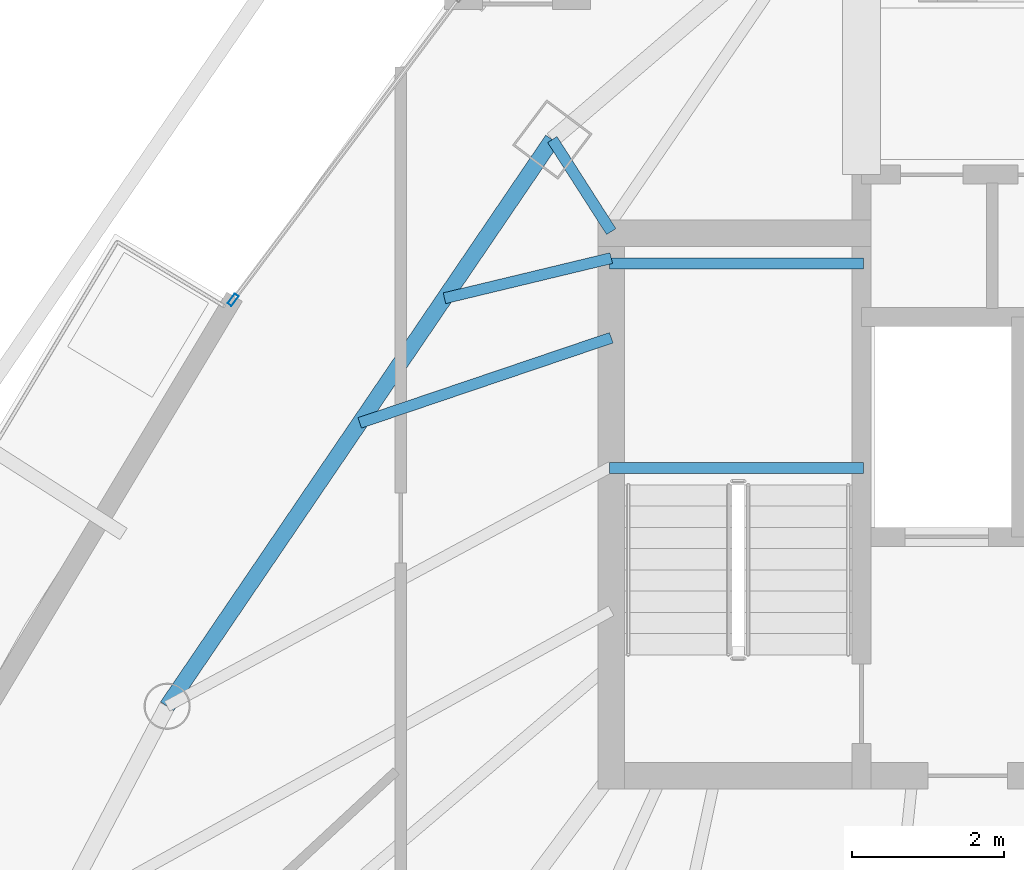
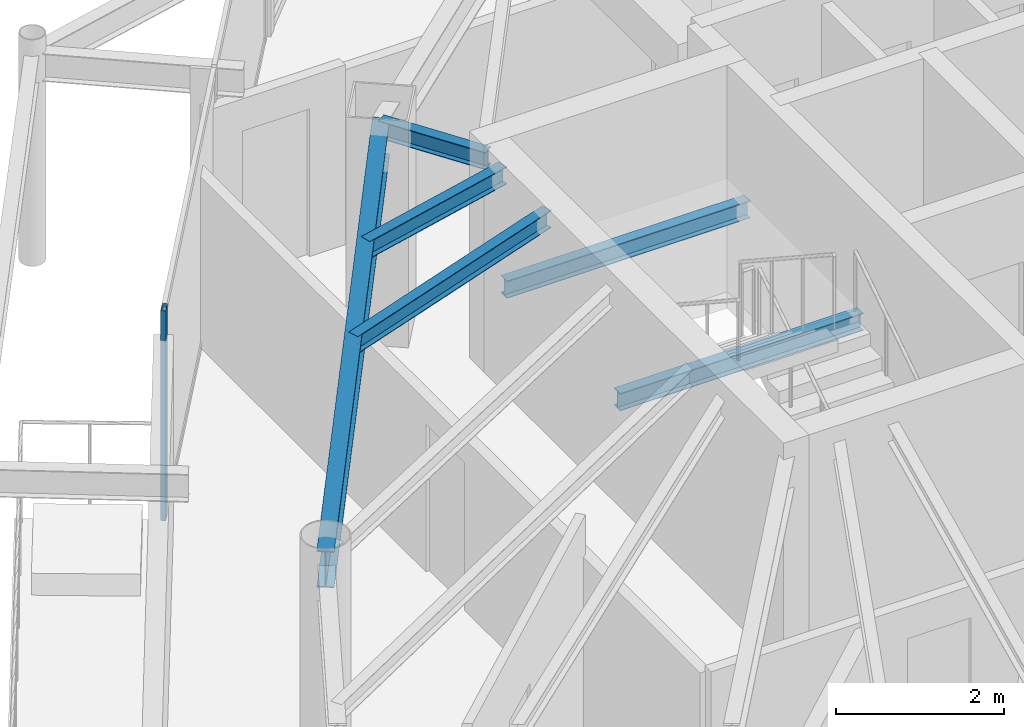
# One storey, part 12 of 32: 6 beams, 1 member, 1 element without a shape of its own.
"""IFC4 building model written with IfcOpenShell, lengths in metres."""

from ifc_helpers import new_model, si_unit, direction, frame, origin, origin_2d, place, context, subcontext, project, spatial, hollow_rectangle, i_section, extrude, material, layer, layer_set, material_profile, profile_set, type_object, element, aggregate, save


model = new_model("IFC4")

# Units and contexts
model_context = context("Model", 3, precision=1e-05, world=origin(), true_north=direction((0.0, 1.0)))
body_context = subcontext(model_context, "Body", "Model", "MODEL_VIEW")
ifc_project = project(units=[si_unit("LENGTHUNIT", "METRE"), si_unit("AREAUNIT", "SQUARE_METRE"), si_unit("VOLUMEUNIT", "CUBIC_METRE"), si_unit("PLANEANGLEUNIT", "RADIAN"), si_unit("MASSUNIT", "GRAM", prefix="KILO")], contexts=[model_context])

# Site, building, storey
site_placement = place(None, origin())
site = spatial("IfcSite", under=ifc_project, at=site_placement, CompositionType="ELEMENT")
building_placement = place(site_placement, origin())
building = spatial("IfcBuilding", under=site, at=building_placement, Name="Orvanel Arch Residences", CompositionType="ELEMENT")
storey_placement = place(building_placement, frame((0.0, 0.0, 219.5)))
storey = spatial("IfcBuildingStorey", under=building, at=storey_placement, Name="L62", CompositionType="ELEMENT", Elevation=219.5)

# Beams
ifc_material_1 = material(Name="Structural steel AS/NZS 3679.1 Grade 300 (300 MPa)", Category="steel")
ifc_material_profile_1 = material_profile(ifc_material_1, i_section(OverallWidth=0.14599609375, OverallDepth=0.251953125, WebThickness=0.006103515625, FlangeThickness=0.008544921875, at=origin_2d()), Name="250UB31.4")
ifc_profile_set_1 = profile_set([ifc_material_profile_1], Name="Structural steel AS/NZS 3679.1 Grade 300 (300 MPa)")
beam_type_1 = type_object("IfcBeamType", Name="BJ-250UB", PredefinedType="JOIST", material=ifc_profile_set_1)
for number, where, z_axis, x_axis, name in (
    (1, (26.39990234375, 30.780029296875, 1.323974609375), (1.0, 0.0, 0.0), (0.0, 1.0, 0.0), "L62 ST-1 Half-Landing Support Beam 1.1"),
    (2, (26.39990234375, 33.47998046875, 1.323974609375), (1.0, 0.0, 0.0), (0.0, 1.0, 0.0), "L62 ST-1 Half-Landing Support Beam 1.2"),
):
    element("IfcBeam", number, at=place(storey_placement, frame(where, z_axis=z_axis, x_axis=x_axis)), inside=storey, type_object=beam_type_1, Name=name, PredefinedType="JOIST", context=body_context, shape_type="SweptSolid", body=[
        extrude(i_section(OverallWidth=0.14599609375, OverallDepth=0.251953125, WebThickness=0.006103515625, FlangeThickness=0.008544921875, at=origin_2d()), origin(), (0.0, 0.0, 1.0), 3.35009765625),
    ])
beam_1_placement = place(storey_placement, frame((26.425048828125, 33.89990234375, 2.93408203125), z_axis=(-0.539395075146, 0.842052820735, 0.0), x_axis=(-0.842052820735, -0.539395075146, 0.0)))
element("IfcBeam", 3, at=beam_1_placement, inside=storey, type_object=beam_type_1, Name="L62 NNW Wing Floor Joist", PredefinedType="JOIST", context=body_context, shape_type="SweptSolid", body=[
    extrude(i_section(OverallWidth=0.14599609375, OverallDepth=0.251953125, WebThickness=0.006103515625, FlangeThickness=0.008544921875, at=origin_2d()), origin(), (0.0, 0.0, 1.0), 1.440673828125),
])
beam_2_placement = place(storey_placement, frame((26.425048828125, 32.5, 2.93408203125), z_axis=(-0.947187956478, -0.320678928373, 0.0), x_axis=(0.320678928373, -0.947187956478, 0.0)))
element("IfcBeam", 4, at=beam_2_placement, inside=storey, type_object=beam_type_1, Name="L62 WNW Wing Floor Joist", PredefinedType="JOIST", context=body_context, shape_type="SweptSolid", body=[
    extrude(i_section(OverallWidth=0.14599609375, OverallDepth=0.251953125, WebThickness=0.006103515625, FlangeThickness=0.008544921875, at=origin_2d()), origin(), (0.0, 0.0, 1.0), 3.502197265625),
])
beam_3_placement = place(storey_placement, frame((26.425048828125, 33.550048828125, 2.93408203125), z_axis=(-0.972256833016, -0.23391590509, 0.0), x_axis=(0.23391590509, -0.972256833016, 0.0)))
element("IfcBeam", 5, at=beam_3_placement, inside=storey, type_object=beam_type_1, Name="L62 JADD3 Wing Floor Joist", PredefinedType="JOIST", context=body_context, shape_type="SweptSolid", body=[
    extrude(i_section(OverallWidth=0.14599609375, OverallDepth=0.251953125, WebThickness=0.006103515625, FlangeThickness=0.008544921875, at=origin_2d()), origin(), (0.0, 0.0, 1.0), 2.26171875),
])

# Curtain wall, member
ifc_material_2 = material(Name="Bronze-anodised aluminium AA6063-T6", Category="aluminium")
ifc_layer = layer(ifc_material_2, 0.175048828125)
ifc_layer_set = layer_set([ifc_layer], Name="Bronze-anodised aluminium AA6063-T6")
curtain_wall_type = type_object("IfcCurtainWallType", Name="CW4-HI-SYS", PredefinedType="NOTDEFINED", material=ifc_layer_set)
curtain_wall_placement = place(storey_placement, origin())
curtain_wall = element("IfcCurtainWall", 6, at=curtain_wall_placement, inside=storey, type_object=curtain_wall_type, Name="L62 CW4-HI-SYS Unitised Curtain Wall", PredefinedType="NOTDEFINED")
ifc_material_profile_2 = material_profile(ifc_material_2, hollow_rectangle(XDim=0.06494140625, YDim=0.159912109375, WallThickness=0.00390625, at=origin_2d()), Name="ALU160x65x4")
ifc_profile_set_2 = profile_set([ifc_material_profile_2], Name="Bronze-anodised aluminium AA6063-T6")
member_type = type_object("IfcMemberType", Name="MUL-160x65", PredefinedType="MULLION", material=ifc_profile_set_2)
member_placement = place(storey_placement, frame((21.439453125, 33.0, 0.0), z_axis=(0.0, 0.0, 1.0), x_axis=(0.800476458044, -0.599364196559, 0.0)))
member = element("IfcMember", 7, at=member_placement, type_object=member_type, Name="CW-S4 mullion 3", PredefinedType="MULLION", context=body_context, shape_type="SweptSolid", body=[
    extrude(hollow_rectangle(XDim=0.06494140625, YDim=0.159912109375, WallThickness=0.00390625, at=origin_2d()), origin(), (0.0, 0.0, 1.0), 3.06005859375),
])
aggregate(curtain_wall, [member])

# Beam
ifc_material_profile_3 = material_profile(ifc_material_1, i_section(OverallWidth=0.208984375, OverallDepth=0.532958984375, WebThickness=0.01025390625, FlangeThickness=0.015625, at=origin_2d()), Name="530UB92.4")
ifc_profile_set_3 = profile_set([ifc_material_profile_3], Name="Structural steel AS/NZS 3679.1 Grade 300 (300 MPa)")
beam_type_2 = type_object("IfcBeamType", Name="SP-530UB", PredefinedType="SPANDREL", material=ifc_profile_set_3)
beam_4_placement = place(storey_placement, frame((25.64794921875, 35.113037109375, 2.79296875), z_axis=(-0.562154793153, -0.827032035978, 0.0), x_axis=(0.827032035978, -0.562154793153, 0.0)))
element("IfcBeam", 8, at=beam_4_placement, inside=storey, type_object=beam_type_2, Name="L62 Perimeter Spandrel Beam 11", PredefinedType="SPANDREL", context=body_context, shape_type="SweptSolid", body=[
    extrude(i_section(OverallWidth=0.208984375, OverallDepth=0.532958984375, WebThickness=0.01025390625, FlangeThickness=0.015625, at=origin_2d()), origin(), (0.0, 0.0, 1.0), 9.03466796875),
])

save(model, "model.ifc")
